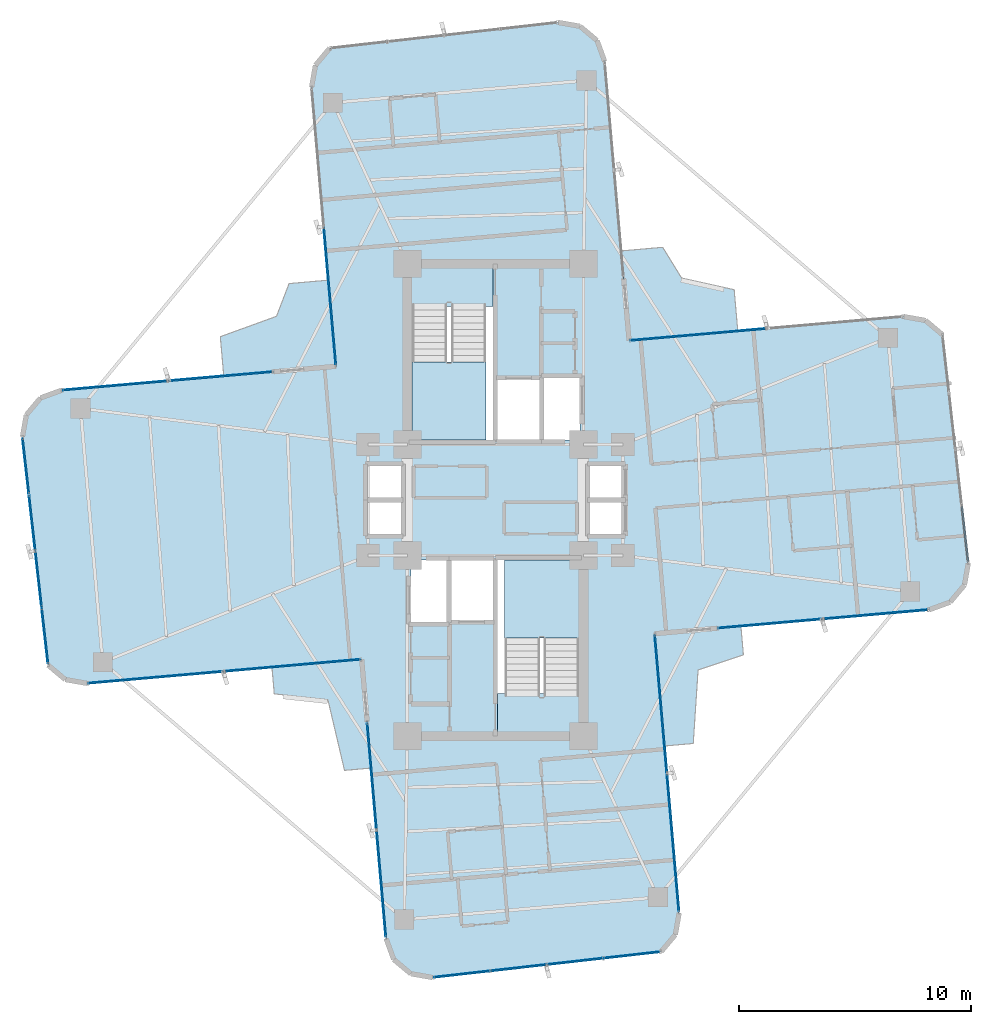
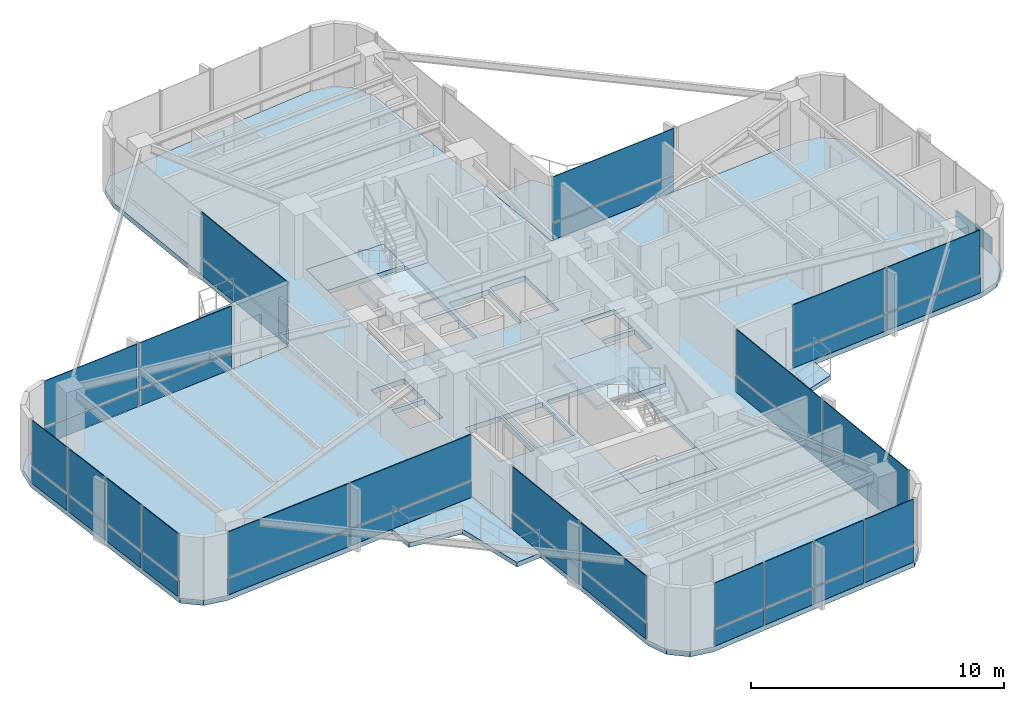
# One storey, part 19 of 24: 41 plates, 9 slabs, 12 elements without a shape of their own.
"""IFC4 building model written with IfcOpenShell, lengths in metres."""

from ifc_helpers import new_model, si_unit, direction, frame, origin, origin_2d, place, context, subcontext, project, spatial, polyline, rectangle, outline, extrude, source, transform, mapped, material, layer, layer_set, type_object, element, aggregate, save


model = new_model("IFC4")

# Units and contexts
model_context = context("Model", 3, precision=1e-05, world=origin(), true_north=direction((0.0, 1.0)))
body_context = subcontext(model_context, "Body", "Model", "MODEL_VIEW")
ifc_project = project(units=[si_unit("LENGTHUNIT", "METRE"), si_unit("AREAUNIT", "SQUARE_METRE"), si_unit("VOLUMEUNIT", "CUBIC_METRE"), si_unit("PLANEANGLEUNIT", "RADIAN"), si_unit("MASSUNIT", "GRAM", prefix="KILO")], contexts=[model_context])

# Site, building, storey
site_placement = place(None, origin())
site = spatial("IfcSite", under=ifc_project, at=site_placement, CompositionType="ELEMENT")
building_placement = place(site_placement, origin())
building = spatial("IfcBuilding", under=site, at=building_placement, Name="Sahyath Konkavel Grand Hotel", CompositionType="ELEMENT")
storey_placement = place(building_placement, frame((0.0, 0.0, 164.0)))
storey = spatial("IfcBuildingStorey", under=building, at=storey_placement, Name="L45", CompositionType="ELEMENT", Elevation=164.0)

# Slabs
ifc_material_1 = material(Name="Concrete C40/50", Category="concrete")
ifc_layer_1 = layer(ifc_material_1, 0.239990234375)
ifc_layer_set_1 = layer_set([ifc_layer_1], Name="Concrete C40/50")
slab_type_1 = type_object("IfcSlabType", Name="SLB-240", PredefinedType="FLOOR", material=ifc_layer_set_1)
slab_1_placement = place(storey_placement, frame((0.0, 0.0, -0.239990234375)))
element("IfcSlab", 1, at=slab_1_placement, inside=storey, type_object=slab_type_1, Name="L45 Structural Floor Slab", PredefinedType="FLOOR", context=body_context, shape_type="SweptSolid", body=[
    extrude(outline(polyline([(6.87939453125, -5.7724609375), (18.73388671875, -4.735107421875), (19.6337890625, -4.40771484375), (20.24951171875, -3.674072265625), (20.415771484375, -2.73095703125), (19.3037109375, 7.134521484375), (18.5703125, 7.75), (17.627197265625, 7.91650390625), (5.7724609375, 6.87939453125), (4.7177734375, 18.93310546875), (4.390380859375, 19.8330078125), (3.65673828125, 20.44873046875), (2.713623046875, 20.614990234375), (-7.152099609375, 19.5029296875), (-7.767578125, 18.769287109375), (-7.933837890625, 17.826416015625), (-6.87939453125, 5.7724609375), (-18.73388671875, 4.735107421875), (-19.6337890625, 4.40771484375), (-20.24951171875, 3.674072265625), (-20.415771484375, 2.73095703125), (-19.3037109375, -7.134521484375), (-18.5703125, -7.75), (-17.627197265625, -7.91650390625), (-5.7724609375, -6.87939453125), (-4.7177734375, -18.93310546875), (-4.390380859375, -19.8330078125), (-3.65673828125, -20.44873046875), (-2.713623046875, -20.614990234375), (7.152099609375, -19.5029296875), (7.767578125, -18.769287109375), (7.933837890625, -17.826416015625), (6.87939453125, -5.7724609375)]), holes=[polyline([(-3.6201171875, 2.580078125), (-0.10009765625, 2.580078125), (-0.10009765625, 10.02001953125), (-3.6201171875, 10.02001953125), (-3.6201171875, 2.580078125)]), polyline([(0.10009765625, -10.02001953125), (3.6201171875, -10.02001953125), (3.6201171875, -2.580078125), (0.10009765625, -2.580078125), (0.10009765625, -10.02001953125)]), polyline([(0.10009765625, 2.60009765625), (1.949951171875, 2.60009765625), (1.949951171875, 5.199951171875), (0.10009765625, 5.199951171875), (0.10009765625, 2.60009765625)]), polyline([(-1.949951171875, -5.199951171875), (-0.10009765625, -5.199951171875), (-0.10009765625, -2.60009765625), (-1.949951171875, -2.60009765625), (-1.949951171875, -5.199951171875)]), polyline([(2.050048828125, 2.60009765625), (3.64990234375, 2.60009765625), (3.64990234375, 5.300048828125), (2.050048828125, 5.300048828125), (2.050048828125, 2.60009765625)]), polyline([(-3.64990234375, -5.300048828125), (-2.050048828125, -5.300048828125), (-2.050048828125, -2.60009765625), (-3.64990234375, -2.60009765625), (-3.64990234375, -5.300048828125)]), polyline([(4.050048828125, 0.080078125), (5.550048828125, 0.080078125), (5.550048828125, 1.5400390625), (4.050048828125, 1.5400390625), (4.050048828125, 0.080078125)]), polyline([(4.050048828125, -1.5400390625), (5.550048828125, -1.5400390625), (5.550048828125, -0.080078125), (4.050048828125, -0.080078125), (4.050048828125, -1.5400390625)]), polyline([(-5.550048828125, 0.080078125), (-4.050048828125, 0.080078125), (-4.050048828125, 1.5400390625), (-5.550048828125, 1.5400390625), (-5.550048828125, 0.080078125)]), polyline([(-5.550048828125, -1.5400390625), (-4.050048828125, -1.5400390625), (-4.050048828125, -0.080078125), (-5.550048828125, -0.080078125), (-5.550048828125, -1.5400390625)])]), origin(), (0.0, 0.0, 1.0), 0.239990234375),
])
ifc_layer_2 = layer(ifc_material_1, 0.219970703125)
ifc_layer_set_2 = layer_set([ifc_layer_2], Name="Concrete C40/50")
slab_type_2 = type_object("IfcSlabType", Name="SLB-BALCONY-220", PredefinedType="FLOOR", material=ifc_layer_set_2)
slab_2_placement = place(storey_placement, frame((0.0, 0.0, -0.219970703125)))
element("IfcSlab", 2, at=slab_2_placement, inside=storey, type_object=slab_type_2, Name="L45 Winter-Garden Balcony NE", PredefinedType="FLOOR", context=body_context, shape_type="SweptSolid", body=[
    extrude(outline(polyline([(5.7724609375, 6.87939453125), (10.465576171875, 7.289794921875), (10.308837890625, 9.079345703125), (8.040283203125, 9.582275390625), (7.222900390625, 10.909912109375), (5.433349609375, 10.75341796875), (5.7724609375, 6.87939453125)])), origin(), (0.0, 0.0, 1.0), 0.219970703125),
])
slab_3_placement = place(storey_placement, frame((0.0, 0.0, -0.219970703125)))
element("IfcSlab", 3, at=slab_3_placement, inside=storey, type_object=slab_type_2, Name="L45 Winter-Garden Balcony NW", PredefinedType="FLOOR", context=body_context, shape_type="SweptSolid", body=[
    extrude(outline(polyline([(-6.87939453125, 5.7724609375), (-7.20458984375, 9.4921875), (-8.90673828125, 9.34326171875), (-9.4501953125, 7.929443359375), (-11.875732421875, 7.05029296875), (-11.726806640625, 5.348388671875), (-6.87939453125, 5.7724609375)])), origin(), (0.0, 0.0, 1.0), 0.219970703125),
])
slab_4_placement = place(storey_placement, frame((0.0, 0.0, -0.219970703125)))
element("IfcSlab", 4, at=slab_4_placement, inside=storey, type_object=slab_type_2, Name="L45 Winter-Garden Balcony SW", PredefinedType="FLOOR", context=body_context, shape_type="SweptSolid", body=[
    extrude(outline(polyline([(-5.7724609375, -6.87939453125), (-9.646484375, -7.21826171875), (-9.5458984375, -8.369384765625), (-7.2314453125, -8.6181640625), (-6.512939453125, -11.673095703125), (-5.36181640625, -11.572265625), (-5.7724609375, -6.87939453125)])), origin(), (0.0, 0.0, 1.0), 0.219970703125),
])
slab_5_placement = place(storey_placement, frame((0.0, 0.0, -0.219970703125)))
element("IfcSlab", 5, at=slab_5_placement, inside=storey, type_object=slab_type_2, Name="L45 Winter-Garden Balcony SE", PredefinedType="FLOOR", context=body_context, shape_type="SweptSolid", body=[
    extrude(outline(polyline([(6.87939453125, -5.7724609375), (7.303466796875, -10.619873046875), (8.5419921875, -10.511474609375), (8.750244140625, -7.34228515625), (10.70751953125, -6.685791015625), (10.59912109375, -5.447021484375), (6.87939453125, -5.7724609375)])), origin(), (0.0, 0.0, 1.0), 0.219970703125),
])

# Stair, slab
stair_type = type_object("IfcStairType", Name="STR-ST16-335", PredefinedType="HALF_TURN_STAIR", material=ifc_material_1)
stair_1_placement = place(storey_placement, origin())
stair_1 = element("IfcStair", 6, at=stair_1_placement, inside=storey, type_object=stair_type, Name="L45 North Core Smokeproof Exit Stair ST-1", PredefinedType="HALF_TURN_STAIR")
ifc_layer_3 = layer(ifc_material_1, 0.199951171875)
ifc_layer_set_3 = layer_set([ifc_layer_3], Name="Concrete C40/50")
slab_type_3 = type_object("IfcSlabType", Name="SLB-STAIR-LND", PredefinedType="LANDING", material=ifc_layer_set_3)
slab_6_placement = place(storey_placement, frame((0.0, 0.0, 1.47509765625)))
slab_6 = element("IfcSlab", 7, at=slab_6_placement, type_object=slab_type_3, Name="ST-1 landing 1", PredefinedType="LANDING", context=body_context, shape_type="SweptSolid", body=[
    extrude(outline(polyline([(-3.60009765625, 5.9599609375), (-3.60009765625, 2.60009765625), (-0.39990234375, 2.60009765625), (-0.39990234375, 5.9599609375), (-3.60009765625, 5.9599609375)])), origin(), (0.0, 0.0, 1.0), 0.199951171875),
])
aggregate(stair_1, [slab_6])

stair_2_placement = place(storey_placement, origin())
stair_2 = element("IfcStair", 8, at=stair_2_placement, inside=storey, type_object=stair_type, Name="L45 South Core Smokeproof Exit Stair ST-2", PredefinedType="HALF_TURN_STAIR")
slab_7_placement = place(storey_placement, frame((0.0, 0.0, 1.47509765625)))
slab_7 = element("IfcSlab", 9, at=slab_7_placement, type_object=slab_type_3, Name="ST-2 landing 1", PredefinedType="LANDING", context=body_context, shape_type="SweptSolid", body=[
    extrude(outline(polyline([(3.60009765625, -5.9599609375), (3.60009765625, -2.60009765625), (0.39990234375, -2.60009765625), (0.39990234375, -5.9599609375), (3.60009765625, -5.9599609375)])), origin(), (0.0, 0.0, 1.0), 0.199951171875),
])
aggregate(stair_2, [slab_7])

# Slabs
slab_8_placement = place(storey_placement, frame((0.0, 0.0, -0.199951171875)))
element("IfcSlab", 10, at=slab_8_placement, inside=storey, type_object=slab_type_3, Name="L45 Stair ST-1 Floor Landing Slab", PredefinedType="LANDING", context=body_context, shape_type="SweptSolid", body=[
    extrude(outline(polyline([(-3.6201171875, 8.35009765625), (-0.10009765625, 8.35009765625), (-0.10009765625, 10.02001953125), (-3.6201171875, 10.02001953125), (-3.6201171875, 8.35009765625)])), origin(), (0.0, 0.0, 1.0), 0.199951171875),
])
slab_9_placement = place(storey_placement, frame((0.0, 0.0, -0.199951171875)))
element("IfcSlab", 11, at=slab_9_placement, inside=storey, type_object=slab_type_3, Name="L45 Stair ST-2 Floor Landing Slab", PredefinedType="LANDING", context=body_context, shape_type="SweptSolid", body=[
    extrude(outline(polyline([(0.10009765625, -10.02001953125), (3.6201171875, -10.02001953125), (3.6201171875, -8.35009765625), (0.10009765625, -8.35009765625), (0.10009765625, -10.02001953125)])), origin(), (0.0, 0.0, 1.0), 0.199951171875),
])

# Curtain wall, plates
ifc_material_2 = material(Name="Anodised Bronze Aluminium & Low-E Glazing", Category="aluminium")
curtain_wall_type = type_object("IfcCurtainWallType", Name="CW-ZONE3", PredefinedType="NOTDEFINED", material=ifc_material_2)
curtain_wall_1_placement = place(storey_placement, origin())
curtain_wall_1 = element("IfcCurtainWall", 12, at=curtain_wall_1_placement, inside=storey, type_object=curtain_wall_type, Name="L45 Unitised Curtain Wall F0", PredefinedType="NOTDEFINED")
ifc_material_3 = material(Name="Warm Buff Sandstone Cladding", Category="masonry")
ifc_layer_4 = layer(ifc_material_3, 0.074951171875)
ifc_layer_set_4 = layer_set([ifc_layer_4], Name="Warm Buff Sandstone Cladding")
plate_type_1 = type_object("IfcPlateType", Name="PNL-SPANDREL-STONE", PredefinedType="SHEET", material=ifc_layer_set_4)
shared_shape_1 = source(origin(), body_context, "Body", "SweptSolid", [
    extrude(rectangle(XDim=4.47998046875, YDim=0.074951171875, at=origin_2d()), origin(), (0.0, 0.0, 1.0), 0.77001953125),
])
plate_1_placement = place(storey_placement, frame((11.880126953125, -5.334716796875, 0.0400390625), z_axis=(0.0, 0.0, 1.0), x_axis=(0.996194698092, 0.087155742748, 0.0)))
plate_1 = element("IfcPlate", 13, at=plate_1_placement, type_object=plate_type_1, Name="L45 Sandstone Relief Spandrel Panel F0-0", PredefinedType="SHEET", context=body_context, shape_type="MappedRepresentation", body=[
    mapped(shared_shape_1, transform((0.0, 0.0, 0.0), scale=1.0)),
])
plate_2_placement = place(storey_placement, frame((16.4228515625, -4.9375, 0.0400390625), z_axis=(0.0, 0.0, 1.0), x_axis=(0.996194698092, 0.087155742748, 0.0)))
plate_2 = element("IfcPlate", 14, at=plate_2_placement, type_object=plate_type_1, Name="L45 Sandstone Relief Spandrel Panel F0-1", PredefinedType="SHEET", context=body_context, shape_type="MappedRepresentation", body=[
    mapped(shared_shape_1, transform((0.0, 0.0, 0.0), scale=1.0)),
])

curtain_wall_2_placement = place(storey_placement, origin())
curtain_wall_2 = element("IfcCurtainWall", 15, at=curtain_wall_2_placement, inside=storey, type_object=curtain_wall_type, Name="L45 Unitised Curtain Wall F16", PredefinedType="NOTDEFINED")
plate_3_placement = place(storey_placement, frame((-11.880126953125, 5.334716796875, 0.0400390625), z_axis=(0.0, 0.0, 1.0), x_axis=(-0.996194698092, -0.087155742748, 0.0)))
plate_3 = element("IfcPlate", 16, at=plate_3_placement, type_object=plate_type_1, Name="L45 Sandstone Relief Spandrel Panel F16-0", PredefinedType="SHEET", context=body_context, shape_type="MappedRepresentation", body=[
    mapped(shared_shape_1, transform((0.0, 0.0, 0.0), scale=1.0)),
])
plate_4_placement = place(storey_placement, frame((-16.4228515625, 4.9375, 0.0400390625), z_axis=(0.0, 0.0, 1.0), x_axis=(-0.996194698092, -0.087155742748, 0.0)))
plate_4 = element("IfcPlate", 17, at=plate_4_placement, type_object=plate_type_1, Name="L45 Sandstone Relief Spandrel Panel F16-1", PredefinedType="SHEET", context=body_context, shape_type="MappedRepresentation", body=[
    mapped(shared_shape_1, transform((0.0, 0.0, 0.0), scale=1.0)),
])

# Curtain wall, plate
curtain_wall_3_placement = place(storey_placement, origin())
curtain_wall_3 = element("IfcCurtainWall", 18, at=curtain_wall_3_placement, inside=storey, type_object=curtain_wall_type, Name="L45 Unitised Curtain Wall F4", PredefinedType="NOTDEFINED")
shared_shape_2 = source(origin(), body_context, "Body", "SweptSolid", [
    extrude(rectangle(XDim=2.382080078125, YDim=0.074951171875, at=origin_2d()), origin(), (0.0, 0.0, 1.0), 0.77001953125),
])
plate_5_placement = place(storey_placement, frame((20.2734375, -1.468017578125, 0.0400390625), z_axis=(0.0, 0.0, 1.0), x_axis=(-0.111989252568, 0.993709417943, 0.0)))
plate_5 = element("IfcPlate", 19, at=plate_5_placement, type_object=plate_type_1, Name="L45 Sandstone Relief Spandrel Panel F4-0", PredefinedType="SHEET", context=body_context, shape_type="MappedRepresentation", body=[
    mapped(shared_shape_2, transform((0.0, 0.0, 0.0), scale=1.0)),
])
aggregate(curtain_wall_3, [plate_5])

# Curtain wall, plates
curtain_wall_4_placement = place(storey_placement, origin())
curtain_wall_4 = element("IfcCurtainWall", 20, at=curtain_wall_4_placement, inside=storey, type_object=curtain_wall_type, Name="L45 Unitised Curtain Wall F20", PredefinedType="NOTDEFINED")
plate_6_placement = place(storey_placement, frame((-20.2734375, 1.468017578125, 0.0400390625), z_axis=(0.0, 0.0, 1.0), x_axis=(0.111989252568, -0.993709417943, 0.0)))
plate_6 = element("IfcPlate", 21, at=plate_6_placement, type_object=plate_type_1, Name="L45 Sandstone Relief Spandrel Panel F20-0", PredefinedType="SHEET", context=body_context, shape_type="MappedRepresentation", body=[
    mapped(shared_shape_2, transform((0.0, 0.0, 0.0), scale=1.0)),
])
plate_7_placement = place(storey_placement, frame((-19.99755859375, -0.978515625, 0.0400390625), z_axis=(0.0, 0.0, 1.0), x_axis=(0.111989252568, -0.993709417943, 0.0)))
plate_7 = element("IfcPlate", 22, at=plate_7_placement, type_object=plate_type_1, Name="L45 Sandstone Relief Spandrel Panel F20-1", PredefinedType="SHEET", context=body_context, shape_type="MappedRepresentation", body=[
    mapped(shared_shape_2, transform((0.0, 0.0, 0.0), scale=1.0)),
])
plate_8_placement = place(storey_placement, frame((-19.7216796875, -3.425048828125, 0.0400390625), z_axis=(0.0, 0.0, 1.0), x_axis=(0.111989252568, -0.993709417943, 0.0)))
plate_8 = element("IfcPlate", 23, at=plate_8_placement, type_object=plate_type_1, Name="L45 Sandstone Relief Spandrel Panel F20-2", PredefinedType="SHEET", context=body_context, shape_type="MappedRepresentation", body=[
    mapped(shared_shape_2, transform((0.0, 0.0, 0.0), scale=1.0)),
])
plate_9_placement = place(storey_placement, frame((-19.446044921875, -5.87158203125, 0.0400390625), z_axis=(0.0, 0.0, 1.0), x_axis=(0.111989252568, -0.993709417943, 0.0)))
plate_9 = element("IfcPlate", 24, at=plate_9_placement, type_object=plate_type_1, Name="L45 Sandstone Relief Spandrel Panel F20-3", PredefinedType="SHEET", context=body_context, shape_type="MappedRepresentation", body=[
    mapped(shared_shape_2, transform((0.0, 0.0, 0.0), scale=1.0)),
])

curtain_wall_5_placement = place(storey_placement, origin())
curtain_wall_5 = element("IfcCurtainWall", 25, at=curtain_wall_5_placement, inside=storey, type_object=curtain_wall_type, Name="L45 Unitised Curtain Wall F28", PredefinedType="NOTDEFINED")
plate_10_placement = place(storey_placement, frame((-1.45068359375, -20.47265625, 0.0400390625), z_axis=(0.0, 0.0, 1.0), x_axis=(0.993707463211, 0.112006596052, 0.0)))
plate_10 = element("IfcPlate", 26, at=plate_10_placement, type_object=plate_type_1, Name="L45 Sandstone Relief Spandrel Panel F28-0", PredefinedType="SHEET", context=body_context, shape_type="MappedRepresentation", body=[
    mapped(shared_shape_2, transform((0.0, 0.0, 0.0), scale=1.0)),
])
plate_11_placement = place(storey_placement, frame((0.995849609375, -20.197021484375, 0.0400390625), z_axis=(0.0, 0.0, 1.0), x_axis=(0.993707463211, 0.112006596052, 0.0)))
plate_11 = element("IfcPlate", 27, at=plate_11_placement, type_object=plate_type_1, Name="L45 Sandstone Relief Spandrel Panel F28-1", PredefinedType="SHEET", context=body_context, shape_type="MappedRepresentation", body=[
    mapped(shared_shape_2, transform((0.0, 0.0, 0.0), scale=1.0)),
])
plate_12_placement = place(storey_placement, frame((3.4423828125, -19.921142578125, 0.0400390625), z_axis=(0.0, 0.0, 1.0), x_axis=(0.993707463211, 0.112006596052, 0.0)))
plate_12 = element("IfcPlate", 28, at=plate_12_placement, type_object=plate_type_1, Name="L45 Sandstone Relief Spandrel Panel F28-2", PredefinedType="SHEET", context=body_context, shape_type="MappedRepresentation", body=[
    mapped(shared_shape_2, transform((0.0, 0.0, 0.0), scale=1.0)),
])
plate_13_placement = place(storey_placement, frame((5.888916015625, -19.6455078125, 0.0400390625), z_axis=(0.0, 0.0, 1.0), x_axis=(0.993707463211, 0.112006596052, 0.0)))
plate_13 = element("IfcPlate", 29, at=plate_13_placement, type_object=plate_type_1, Name="L45 Sandstone Relief Spandrel Panel F28-3", PredefinedType="SHEET", context=body_context, shape_type="MappedRepresentation", body=[
    mapped(shared_shape_2, transform((0.0, 0.0, 0.0), scale=1.0)),
])

# Curtain wall, plate
curtain_wall_6_placement = place(storey_placement, origin())
curtain_wall_6 = element("IfcCurtainWall", 30, at=curtain_wall_6_placement, inside=storey, type_object=curtain_wall_type, Name="L45 Unitised Curtain Wall F7", PredefinedType="NOTDEFINED")
shared_shape_3 = source(origin(), body_context, "Body", "SweptSolid", [
    extrude(rectangle(XDim=5.830078125, YDim=0.074951171875, at=origin_2d()), origin(), (0.0, 0.0, 1.0), 0.77001953125),
])
plate_14_placement = place(storey_placement, frame((8.756103515625, 7.140380859375, 0.0400390625), z_axis=(0.0, 0.0, 1.0), x_axis=(-0.996194698092, -0.087155742748, 0.0)))
plate_14 = element("IfcPlate", 31, at=plate_14_placement, type_object=plate_type_1, Name="L45 Sandstone Relief Spandrel Panel F7-1", PredefinedType="SHEET", context=body_context, shape_type="MappedRepresentation", body=[
    mapped(shared_shape_3, transform((0.0, 0.0, 0.0), scale=1.0)),
])

# Curtain wall, plates
curtain_wall_7_placement = place(storey_placement, origin())
curtain_wall_7 = element("IfcCurtainWall", 32, at=curtain_wall_7_placement, inside=storey, type_object=curtain_wall_type, Name="L45 Unitised Curtain Wall F23", PredefinedType="NOTDEFINED")
plate_15_placement = place(storey_placement, frame((-14.6435546875, -7.655517578125, 0.0400390625), z_axis=(0.0, 0.0, 1.0), x_axis=(0.996194698092, 0.087155742748, 0.0)))
plate_15 = element("IfcPlate", 33, at=plate_15_placement, type_object=plate_type_1, Name="L45 Sandstone Relief Spandrel Panel F23-0", PredefinedType="SHEET", context=body_context, shape_type="MappedRepresentation", body=[
    mapped(shared_shape_3, transform((0.0, 0.0, 0.0), scale=1.0)),
])
plate_16_placement = place(storey_placement, frame((-8.756103515625, -7.140380859375, 0.0400390625), z_axis=(0.0, 0.0, 1.0), x_axis=(0.996194698092, 0.087155742748, 0.0)))
plate_16 = element("IfcPlate", 34, at=plate_16_placement, type_object=plate_type_1, Name="L45 Sandstone Relief Spandrel Panel F23-1", PredefinedType="SHEET", context=body_context, shape_type="MappedRepresentation", body=[
    mapped(shared_shape_3, transform((0.0, 0.0, 0.0), scale=1.0)),
])

curtain_wall_8_placement = place(storey_placement, origin())
curtain_wall_8 = element("IfcCurtainWall", 35, at=curtain_wall_8_placement, inside=storey, type_object=curtain_wall_type, Name="L45 Unitised Curtain Wall F24", PredefinedType="NOTDEFINED")
shared_shape_4 = source(origin(), body_context, "Body", "SweptSolid", [
    extrude(rectangle(XDim=4.580078125, YDim=0.074951171875, at=origin_2d()), origin(), (0.0, 0.0, 1.0), 0.77001953125),
])
plate_17_placement = place(storey_placement, frame((-5.33056640625, -11.929931640625, 0.0400390625), z_axis=(0.0, 0.0, 1.0), x_axis=(0.087155742748, -0.996194698092, 0.0)))
plate_17 = element("IfcPlate", 36, at=plate_17_placement, type_object=plate_type_1, Name="L45 Sandstone Relief Spandrel Panel F24-0", PredefinedType="SHEET", context=body_context, shape_type="MappedRepresentation", body=[
    mapped(shared_shape_4, transform((0.0, 0.0, 0.0), scale=1.0)),
])
plate_18_placement = place(storey_placement, frame((-4.92431640625, -16.572265625, 0.0400390625), z_axis=(0.0, 0.0, 1.0), x_axis=(0.087155742748, -0.996194698092, 0.0)))
plate_18 = element("IfcPlate", 37, at=plate_18_placement, type_object=plate_type_1, Name="L45 Sandstone Relief Spandrel Panel F24-1", PredefinedType="SHEET", context=body_context, shape_type="MappedRepresentation", body=[
    mapped(shared_shape_4, transform((0.0, 0.0, 0.0), scale=1.0)),
])

# Curtain wall, plate
curtain_wall_9_placement = place(storey_placement, origin())
curtain_wall_9 = element("IfcCurtainWall", 38, at=curtain_wall_9_placement, inside=storey, type_object=curtain_wall_type, Name="L45 Unitised Curtain Wall F15", PredefinedType="NOTDEFINED")
shared_shape_5 = source(origin(), body_context, "Body", "SweptSolid", [
    extrude(rectangle(XDim=5.929931640625, YDim=0.074951171875, at=origin_2d()), origin(), (0.0, 0.0, 1.0), 0.77001953125),
])
plate_19_placement = place(storey_placement, frame((-7.144775390625, 8.805908203125, 0.0400390625), z_axis=(0.0, 0.0, 1.0), x_axis=(0.087155742748, -0.996194698092, 0.0)))
plate_19 = element("IfcPlate", 39, at=plate_19_placement, type_object=plate_type_1, Name="L45 Sandstone Relief Spandrel Panel F15-1", PredefinedType="SHEET", context=body_context, shape_type="MappedRepresentation", body=[
    mapped(shared_shape_5, transform((0.0, 0.0, 0.0), scale=1.0)),
])

# Curtain wall, plates
curtain_wall_10_placement = place(storey_placement, origin())
curtain_wall_10 = element("IfcCurtainWall", 40, at=curtain_wall_10_placement, inside=storey, type_object=curtain_wall_type, Name="L45 Unitised Curtain Wall F31", PredefinedType="NOTDEFINED")
plate_20_placement = place(storey_placement, frame((7.66845703125, -14.79296875, 0.0400390625), z_axis=(0.0, 0.0, 1.0), x_axis=(-0.087155742748, 0.996194698092, 0.0)))
plate_20 = element("IfcPlate", 41, at=plate_20_placement, type_object=plate_type_1, Name="L45 Sandstone Relief Spandrel Panel F31-0", PredefinedType="SHEET", context=body_context, shape_type="MappedRepresentation", body=[
    mapped(shared_shape_5, transform((0.0, 0.0, 0.0), scale=1.0)),
])
plate_21_placement = place(storey_placement, frame((7.144775390625, -8.805908203125, 0.0400390625), z_axis=(0.0, 0.0, 1.0), x_axis=(-0.087155742748, 0.996194698092, 0.0)))
plate_21 = element("IfcPlate", 42, at=plate_21_placement, type_object=plate_type_1, Name="L45 Sandstone Relief Spandrel Panel F31-1", PredefinedType="SHEET", context=body_context, shape_type="MappedRepresentation", body=[
    mapped(shared_shape_5, transform((0.0, 0.0, 0.0), scale=1.0)),
])

# Plate
ifc_material_4 = material(Name="Low-E Solar Control Double Glazing", Category="glass")
ifc_layer_5 = layer(ifc_material_4, 0.035888671875)
ifc_layer_set_5 = layer_set([ifc_layer_5], Name="Low-E Solar Control Double Glazing")
plate_type_2 = type_object("IfcPlateType", Name="PNL-VISION-LOWE", PredefinedType="CURTAIN_PANEL", material=ifc_layer_set_5)
shared_shape_6 = source(origin(), body_context, "Body", "SweptSolid", [
    extrude(rectangle(XDim=4.47998046875, YDim=0.035888671875, at=origin_2d()), origin(), (0.0, 0.0, 1.0), 2.179931640625),
])
plate_22_placement = place(storey_placement, frame((11.880126953125, -5.334716796875, 0.89013671875), z_axis=(0.0, 0.0, 1.0), x_axis=(0.996194698092, 0.087155742748, 0.0)))
plate_22 = element("IfcPlate", 43, at=plate_22_placement, type_object=plate_type_2, Name="L45 Low-E Vision Glazing Panel F0-0", PredefinedType="CURTAIN_PANEL", context=body_context, shape_type="MappedRepresentation", body=[
    mapped(shared_shape_6, transform((0.0, 0.0, 0.0), scale=1.0)),
])

plate_23_placement = place(storey_placement, frame((16.4228515625, -4.9375, 0.89013671875), z_axis=(0.0, 0.0, 1.0), x_axis=(0.996194698092, 0.087155742748, 0.0)))
plate_23 = element("IfcPlate", 44, at=plate_23_placement, type_object=plate_type_2, Name="L45 Low-E Vision Glazing Panel F0-1", PredefinedType="CURTAIN_PANEL", context=body_context, shape_type="MappedRepresentation", body=[
    mapped(shared_shape_6, transform((0.0, 0.0, 0.0), scale=1.0)),
])

aggregate(curtain_wall_1, [plate_1, plate_22, plate_2, plate_23])

plate_24_placement = place(storey_placement, frame((-11.880126953125, 5.334716796875, 0.89013671875), z_axis=(0.0, 0.0, 1.0), x_axis=(-0.996194698092, -0.087155742748, 0.0)))
plate_24 = element("IfcPlate", 45, at=plate_24_placement, type_object=plate_type_2, Name="L45 Low-E Vision Glazing Panel F16-0", PredefinedType="CURTAIN_PANEL", context=body_context, shape_type="MappedRepresentation", body=[
    mapped(shared_shape_6, transform((0.0, 0.0, 0.0), scale=1.0)),
])

plate_25_placement = place(storey_placement, frame((-16.4228515625, 4.9375, 0.89013671875), z_axis=(0.0, 0.0, 1.0), x_axis=(-0.996194698092, -0.087155742748, 0.0)))
plate_25 = element("IfcPlate", 46, at=plate_25_placement, type_object=plate_type_2, Name="L45 Low-E Vision Glazing Panel F16-1", PredefinedType="CURTAIN_PANEL", context=body_context, shape_type="MappedRepresentation", body=[
    mapped(shared_shape_6, transform((0.0, 0.0, 0.0), scale=1.0)),
])

aggregate(curtain_wall_2, [plate_3, plate_24, plate_4, plate_25])

shared_shape_7 = source(origin(), body_context, "Body", "SweptSolid", [
    extrude(rectangle(XDim=2.382080078125, YDim=0.035888671875, at=origin_2d()), origin(), (0.0, 0.0, 1.0), 2.179931640625),
])
plate_26_placement = place(storey_placement, frame((-20.2734375, 1.468017578125, 0.89013671875), z_axis=(0.0, 0.0, 1.0), x_axis=(0.111989252568, -0.993709417943, 0.0)))
plate_26 = element("IfcPlate", 47, at=plate_26_placement, type_object=plate_type_2, Name="L45 Low-E Vision Glazing Panel F20-0", PredefinedType="CURTAIN_PANEL", context=body_context, shape_type="MappedRepresentation", body=[
    mapped(shared_shape_7, transform((0.0, 0.0, 0.0), scale=1.0)),
])

plate_27_placement = place(storey_placement, frame((-19.99755859375, -0.978515625, 0.89013671875), z_axis=(0.0, 0.0, 1.0), x_axis=(0.111989252568, -0.993709417943, 0.0)))
plate_27 = element("IfcPlate", 48, at=plate_27_placement, type_object=plate_type_2, Name="L45 Low-E Vision Glazing Panel F20-1", PredefinedType="CURTAIN_PANEL", context=body_context, shape_type="MappedRepresentation", body=[
    mapped(shared_shape_7, transform((0.0, 0.0, 0.0), scale=1.0)),
])

plate_28_placement = place(storey_placement, frame((-19.7216796875, -3.425048828125, 0.89013671875), z_axis=(0.0, 0.0, 1.0), x_axis=(0.111989252568, -0.993709417943, 0.0)))
plate_28 = element("IfcPlate", 49, at=plate_28_placement, type_object=plate_type_2, Name="L45 Low-E Vision Glazing Panel F20-2", PredefinedType="CURTAIN_PANEL", context=body_context, shape_type="MappedRepresentation", body=[
    mapped(shared_shape_7, transform((0.0, 0.0, 0.0), scale=1.0)),
])

plate_29_placement = place(storey_placement, frame((-19.446044921875, -5.87158203125, 0.89013671875), z_axis=(0.0, 0.0, 1.0), x_axis=(0.111989252568, -0.993709417943, 0.0)))
plate_29 = element("IfcPlate", 50, at=plate_29_placement, type_object=plate_type_2, Name="L45 Low-E Vision Glazing Panel F20-3", PredefinedType="CURTAIN_PANEL", context=body_context, shape_type="MappedRepresentation", body=[
    mapped(shared_shape_7, transform((0.0, 0.0, 0.0), scale=1.0)),
])

aggregate(curtain_wall_4, [plate_6, plate_26, plate_7, plate_27, plate_8, plate_28, plate_9, plate_29])

plate_30_placement = place(storey_placement, frame((-1.45068359375, -20.47265625, 0.89013671875), z_axis=(0.0, 0.0, 1.0), x_axis=(0.993707463211, 0.112006596052, 0.0)))
plate_30 = element("IfcPlate", 51, at=plate_30_placement, type_object=plate_type_2, Name="L45 Low-E Vision Glazing Panel F28-0", PredefinedType="CURTAIN_PANEL", context=body_context, shape_type="MappedRepresentation", body=[
    mapped(shared_shape_7, transform((0.0, 0.0, 0.0), scale=1.0)),
])

plate_31_placement = place(storey_placement, frame((0.995849609375, -20.197021484375, 0.89013671875), z_axis=(0.0, 0.0, 1.0), x_axis=(0.993707463211, 0.112006596052, 0.0)))
plate_31 = element("IfcPlate", 52, at=plate_31_placement, type_object=plate_type_2, Name="L45 Low-E Vision Glazing Panel F28-1", PredefinedType="CURTAIN_PANEL", context=body_context, shape_type="MappedRepresentation", body=[
    mapped(shared_shape_7, transform((0.0, 0.0, 0.0), scale=1.0)),
])

plate_32_placement = place(storey_placement, frame((3.4423828125, -19.921142578125, 0.89013671875), z_axis=(0.0, 0.0, 1.0), x_axis=(0.993707463211, 0.112006596052, 0.0)))
plate_32 = element("IfcPlate", 53, at=plate_32_placement, type_object=plate_type_2, Name="L45 Low-E Vision Glazing Panel F28-2", PredefinedType="CURTAIN_PANEL", context=body_context, shape_type="MappedRepresentation", body=[
    mapped(shared_shape_7, transform((0.0, 0.0, 0.0), scale=1.0)),
])

plate_33_placement = place(storey_placement, frame((5.888916015625, -19.6455078125, 0.89013671875), z_axis=(0.0, 0.0, 1.0), x_axis=(0.993707463211, 0.112006596052, 0.0)))
plate_33 = element("IfcPlate", 54, at=plate_33_placement, type_object=plate_type_2, Name="L45 Low-E Vision Glazing Panel F28-3", PredefinedType="CURTAIN_PANEL", context=body_context, shape_type="MappedRepresentation", body=[
    mapped(shared_shape_7, transform((0.0, 0.0, 0.0), scale=1.0)),
])

aggregate(curtain_wall_5, [plate_10, plate_30, plate_11, plate_31, plate_12, plate_32, plate_13, plate_33])

shared_shape_8 = source(origin(), body_context, "Body", "SweptSolid", [
    extrude(rectangle(XDim=5.830078125, YDim=0.035888671875, at=origin_2d()), origin(), (0.0, 0.0, 1.0), 2.179931640625),
])
plate_34_placement = place(storey_placement, frame((8.756103515625, 7.140380859375, 0.89013671875), z_axis=(0.0, 0.0, 1.0), x_axis=(-0.996194698092, -0.087155742748, 0.0)))
plate_34 = element("IfcPlate", 55, at=plate_34_placement, type_object=plate_type_2, Name="L45 Low-E Vision Glazing Panel F7-1", PredefinedType="CURTAIN_PANEL", context=body_context, shape_type="MappedRepresentation", body=[
    mapped(shared_shape_8, transform((0.0, 0.0, 0.0), scale=1.0)),
])

aggregate(curtain_wall_6, [plate_14, plate_34])

plate_35_placement = place(storey_placement, frame((-14.6435546875, -7.655517578125, 0.89013671875), z_axis=(0.0, 0.0, 1.0), x_axis=(0.996194698092, 0.087155742748, 0.0)))
plate_35 = element("IfcPlate", 56, at=plate_35_placement, type_object=plate_type_2, Name="L45 Low-E Vision Glazing Panel F23-0", PredefinedType="CURTAIN_PANEL", context=body_context, shape_type="MappedRepresentation", body=[
    mapped(shared_shape_8, transform((0.0, 0.0, 0.0), scale=1.0)),
])

plate_36_placement = place(storey_placement, frame((-8.756103515625, -7.140380859375, 0.89013671875), z_axis=(0.0, 0.0, 1.0), x_axis=(0.996194698092, 0.087155742748, 0.0)))
plate_36 = element("IfcPlate", 57, at=plate_36_placement, type_object=plate_type_2, Name="L45 Low-E Vision Glazing Panel F23-1", PredefinedType="CURTAIN_PANEL", context=body_context, shape_type="MappedRepresentation", body=[
    mapped(shared_shape_8, transform((0.0, 0.0, 0.0), scale=1.0)),
])

aggregate(curtain_wall_7, [plate_15, plate_35, plate_16, plate_36])

shared_shape_9 = source(origin(), body_context, "Body", "SweptSolid", [
    extrude(rectangle(XDim=4.580078125, YDim=0.035888671875, at=origin_2d()), origin(), (0.0, 0.0, 1.0), 2.179931640625),
])
plate_37_placement = place(storey_placement, frame((-5.33056640625, -11.929931640625, 0.89013671875), z_axis=(0.0, 0.0, 1.0), x_axis=(0.087155742748, -0.996194698092, 0.0)))
plate_37 = element("IfcPlate", 58, at=plate_37_placement, type_object=plate_type_2, Name="L45 Low-E Vision Glazing Panel F24-0", PredefinedType="CURTAIN_PANEL", context=body_context, shape_type="MappedRepresentation", body=[
    mapped(shared_shape_9, transform((0.0, 0.0, 0.0), scale=1.0)),
])

plate_38_placement = place(storey_placement, frame((-4.92431640625, -16.572265625, 0.89013671875), z_axis=(0.0, 0.0, 1.0), x_axis=(0.087155742748, -0.996194698092, 0.0)))
plate_38 = element("IfcPlate", 59, at=plate_38_placement, type_object=plate_type_2, Name="L45 Low-E Vision Glazing Panel F24-1", PredefinedType="CURTAIN_PANEL", context=body_context, shape_type="MappedRepresentation", body=[
    mapped(shared_shape_9, transform((0.0, 0.0, 0.0), scale=1.0)),
])

aggregate(curtain_wall_8, [plate_17, plate_37, plate_18, plate_38])

shared_shape_10 = source(origin(), body_context, "Body", "SweptSolid", [
    extrude(rectangle(XDim=5.929931640625, YDim=0.035888671875, at=origin_2d()), origin(), (0.0, 0.0, 1.0), 2.179931640625),
])
plate_39_placement = place(storey_placement, frame((-7.144775390625, 8.805908203125, 0.89013671875), z_axis=(0.0, 0.0, 1.0), x_axis=(0.087155742748, -0.996194698092, 0.0)))
plate_39 = element("IfcPlate", 60, at=plate_39_placement, type_object=plate_type_2, Name="L45 Low-E Vision Glazing Panel F15-1", PredefinedType="CURTAIN_PANEL", context=body_context, shape_type="MappedRepresentation", body=[
    mapped(shared_shape_10, transform((0.0, 0.0, 0.0), scale=1.0)),
])

aggregate(curtain_wall_9, [plate_19, plate_39])

plate_40_placement = place(storey_placement, frame((7.66845703125, -14.79296875, 0.89013671875), z_axis=(0.0, 0.0, 1.0), x_axis=(-0.087155742748, 0.996194698092, 0.0)))
plate_40 = element("IfcPlate", 61, at=plate_40_placement, type_object=plate_type_2, Name="L45 Low-E Vision Glazing Panel F31-0", PredefinedType="CURTAIN_PANEL", context=body_context, shape_type="MappedRepresentation", body=[
    mapped(shared_shape_10, transform((0.0, 0.0, 0.0), scale=1.0)),
])

plate_41_placement = place(storey_placement, frame((7.144775390625, -8.805908203125, 0.89013671875), z_axis=(0.0, 0.0, 1.0), x_axis=(-0.087155742748, 0.996194698092, 0.0)))
plate_41 = element("IfcPlate", 62, at=plate_41_placement, type_object=plate_type_2, Name="L45 Low-E Vision Glazing Panel F31-1", PredefinedType="CURTAIN_PANEL", context=body_context, shape_type="MappedRepresentation", body=[
    mapped(shared_shape_10, transform((0.0, 0.0, 0.0), scale=1.0)),
])

aggregate(curtain_wall_10, [plate_20, plate_40, plate_21, plate_41])

save(model, "model.ifc")
